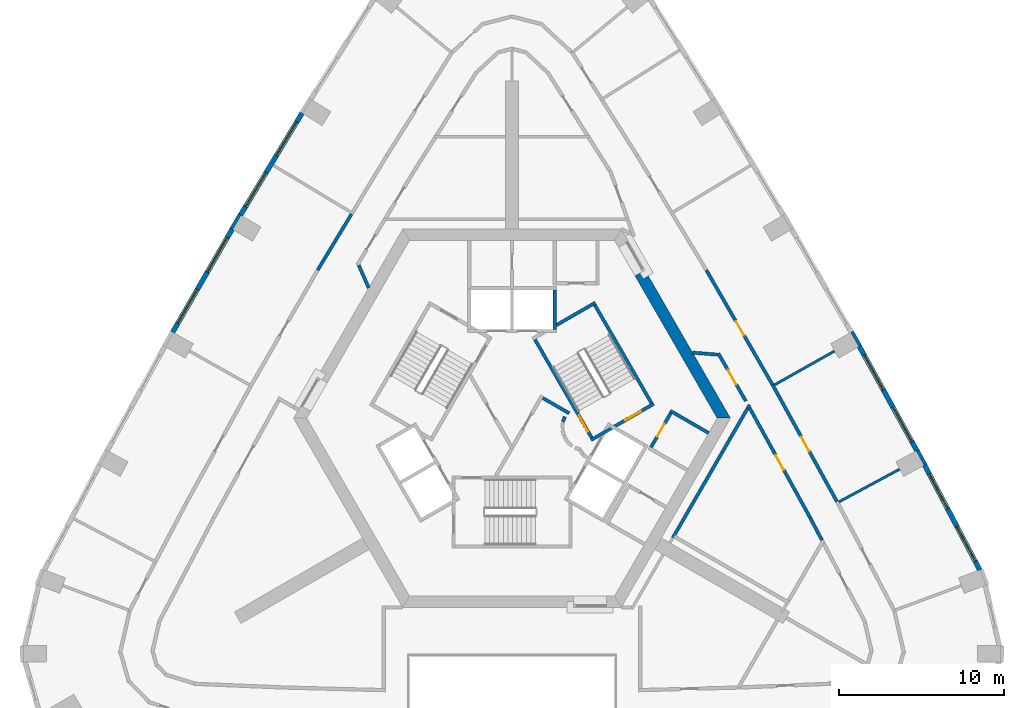
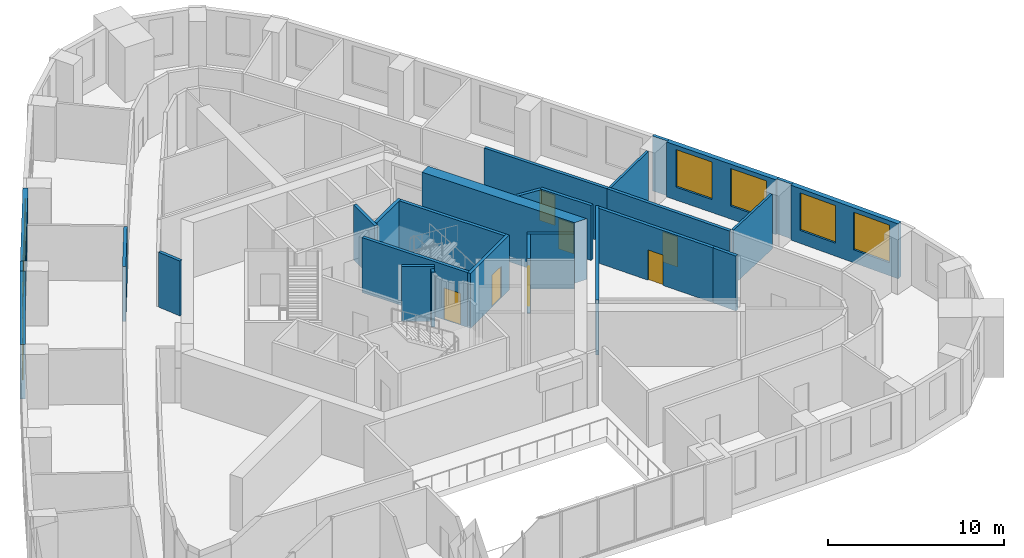
# One storey, part 7 of 11: 28 walls, 8 windows, 7 doors, 15 openings.
"""IFC4 building model written with IfcOpenShell, lengths in metres."""

from ifc_helpers import new_model, si_unit, direction, frame, frame_2d, origin, place, context, subcontext, project, spatial, polyline, rectangle, outline, extrude, material, layer, layer_set, type_object, element, fill, save


model = new_model("IFC4")

# Units and contexts
model_context = context("Model", 3, precision=1e-05, world=origin(), true_north=direction((0.0, 1.0)))
body_context = subcontext(model_context, "Body", "Model", "MODEL_VIEW")
ifc_project = project(units=[si_unit("LENGTHUNIT", "METRE"), si_unit("AREAUNIT", "SQUARE_METRE"), si_unit("VOLUMEUNIT", "CUBIC_METRE"), si_unit("PLANEANGLEUNIT", "RADIAN"), si_unit("MASSUNIT", "GRAM", prefix="KILO")], contexts=[model_context])

# Site, building, storey
site_placement = place(None, origin())
site = spatial("IfcSite", under=ifc_project, at=site_placement, CompositionType="ELEMENT")
building_placement = place(site_placement, origin())
building = spatial("IfcBuilding", under=site, at=building_placement, Name="Entoto Arch Interchange Tower", CompositionType="ELEMENT")
storey_placement = place(building_placement, frame((0.0, 0.0, 194.0)))
storey = spatial("IfcBuildingStorey", under=building, at=storey_placement, Name="L43", CompositionType="ELEMENT", Elevation=194.0)

# Walls
ifc_material_1 = material(Name="Concrete C50/60", Category="concrete")
ifc_layer_1 = layer(ifc_material_1, 0.699951171875)
ifc_layer_set_1 = layer_set([ifc_layer_1], Name="Concrete C50/60")
wall_type_1 = type_object("IfcWallType", Name="Core wall 700 C50/60", PredefinedType="SHEAR", material=ifc_layer_set_1)
wall_1_placement = place(storey_placement, frame((0.0, 0.0, -0.39990234375)))
element("IfcWall", 1, at=wall_1_placement, inside=storey, type_object=wall_type_1, Name="Core wall NE L43", PredefinedType="SHEAR", context=body_context, shape_type="SweptSolid", body=[
    extrude(outline(polyline([(8.083984375, 11.498046875), (7.47802734375, 11.14794921875), (12.470947265625, 2.5), (13.279052734375, 2.5), (8.083984375, 11.498046875)])), origin(), (0.0, 0.0, 1.0), 4.199951171875),
])
ifc_material_2 = material(Name="Concrete C40/50", Category="concrete")
ifc_layer_2 = layer(ifc_material_2, 0.199951171875)
ifc_layer_set_2 = layer_set([ifc_layer_2], Name="Concrete C40/50")
wall_type_2 = type_object("IfcWallType", Name="LIFT SHAFT WALL 200", PredefinedType="STANDARD", material=ifc_layer_set_2)
wall_2_placement = place(storey_placement, frame((2.60009765625, 7.89990234375, 0.0), z_axis=(0.0, 0.0, 1.0), x_axis=(0.0, 1.0, 0.0)))
element("IfcWall", 2, at=wall_2_placement, inside=storey, type_object=wall_type_2, Name="Shaft wall N1 cross 1", PredefinedType="STANDARD", context=body_context, shape_type="SweptSolid", body=[
    extrude(rectangle(XDim=2.400146484375, YDim=0.199951171875, at=frame_2d((1.2001953125, 0.0))), origin(), (0.0, 0.0, 1.0), 3.800048828125),
])
ifc_material_3 = material(Name="Gypsum board partition on steel studs", Category="steel")
ifc_layer_3 = layer(ifc_material_3, 0.14990234375)
ifc_layer_set_3 = layer_set([ifc_layer_3], Name="Gypsum board partition on steel studs")
wall_type_3 = type_object("IfcWallType", Name="PARTITION 150", PredefinedType="PARTITIONING", material=ifc_layer_set_3)
wall_3_placement = place(storey_placement, frame((19.873046875, -2.58203125, 0.0), z_axis=(0.0, 0.0, 1.0), x_axis=(0.880480475723, 0.474082410421, 0.0)))
element("IfcWall", 3, at=wall_3_placement, inside=storey, type_object=wall_type_3, Name="wall:L43:p111", PredefinedType="PARTITIONING", context=body_context, shape_type="SweptSolid", body=[
    extrude(rectangle(XDim=4.1806640625, YDim=0.14990234375, at=frame_2d((2.09033203125, 0.0))), origin(), (0.0, 0.0, 1.0), 3.800048828125),
])
wall_4_placement = place(storey_placement, frame((15.9541015625, 4.52587890625, 0.0), z_axis=(0.0, 0.0, 1.0), x_axis=(0.870940016277, 0.491389344663, 0.0)))
element("IfcWall", 4, at=wall_4_placement, inside=storey, type_object=wall_type_3, Name="wall:L43:p112", PredefinedType="PARTITIONING", context=body_context, shape_type="SweptSolid", body=[
    extrude(rectangle(XDim=4.180419921875, YDim=0.14990234375, at=frame_2d((2.09033203125, 0.0))), origin(), (0.0, 0.0, 1.0), 3.800048828125),
])
ifc_layer_4 = layer(ifc_material_3, 0.199951171875)
ifc_layer_set_4 = layer_set([ifc_layer_4], Name="Gypsum board partition on steel studs")
wall_type_4 = type_object("IfcWallType", Name="PARTITION 200", PredefinedType="PARTITIONING", material=ifc_layer_set_4)
wall_5_placement = place(storey_placement, frame((-9.31494140625, 11.801025390625, 0.0), z_axis=(0.0, 0.0, 1.0), x_axis=(0.403943240321, -0.914784050254, 0.0)))
element("IfcWall", 5, at=wall_5_placement, inside=storey, type_object=wall_type_4, Name="wall:L43:p004", PredefinedType="PARTITIONING", context=body_context, shape_type="SweptSolid", body=[
    extrude(rectangle(XDim=1.50732421875, YDim=0.199951171875, at=frame_2d((0.753662109375, 0.0))), origin(), (0.0, 0.0, 1.0), 3.800048828125),
])

# Wall, opening, door
wall_6_placement = place(storey_placement, frame((14.212890625, 3.54296875, 0.0), z_axis=(0.0, 0.0, 1.0), x_axis=(-0.500182898346, 0.865919781621, 0.0)))
wall_6 = element("IfcWall", 6, at=wall_6_placement, inside=storey, type_object=wall_type_4, Name="wall:L43:p005", PredefinedType="PARTITIONING", context=body_context, shape_type="SweptSolid", body=[
    extrude(rectangle(XDim=3.350341796875, YDim=0.199951171875, at=frame_2d((1.67529296875, 0.0))), origin(), (0.0, 0.0, 1.0), 3.800048828125),
])
opening_1_placement = place(wall_6_placement, frame((1.175048828125, 0.0, 0.0)))
opening_1 = element("IfcOpeningElement", 7, at=opening_1_placement, cuts=wall_6, Name="Opening L43-D27", PredefinedType="OPENING", context=body_context, shape_type="SweptSolid", body=[
    extrude(rectangle(XDim=1.0, YDim=2.10009765625, at=frame_2d((0.5, 1.050048828125))), frame((0.0, 0.10986328125, 0.0), z_axis=(0.0, -1.0, 0.0), x_axis=(1.0, 0.0, 0.0)), (0.0, 0.0, 1.0), 0.219970703125),
])
ifc_material_4 = material(Name="Timber door leaf in Steel S235 frame", Category="steel")
door_type_1 = type_object("IfcDoorType", Name="DOOR DS-10 1000x2100", OperationType="SINGLE_SWING_LEFT", PredefinedType="DOOR", material=ifc_material_4)
door_1_placement = place(opening_1_placement, origin())
door_1 = element("IfcDoor", 8, at=door_1_placement, inside=storey, type_object=door_type_1, Name="door:L43:27", OperationType="SINGLE_SWING_LEFT", OverallHeight=2.10009765625, OverallWidth=1.0, PredefinedType="DOOR", context=body_context, shape_type="SweptSolid", body=[
    extrude(rectangle(XDim=1.0, YDim=2.10009765625, at=frame_2d((0.5, 1.050048828125))), frame((0.0, 0.02490234375, 0.0), z_axis=(0.0, -1.0, 0.0), x_axis=(1.0, 0.0, 0.0)), (0.0, 0.0, 1.0), 0.050048828125),
])
fill(opening_1, door_1)

# Walls
wall_7_placement = place(storey_placement, frame((12.488037109375, 6.365966796875, 0.0), z_axis=(0.0, 0.0, 1.0), x_axis=(-0.996960771308, 0.077905201835, 0.0)))
element("IfcWall", 9, at=wall_7_placement, inside=storey, type_object=wall_type_4, Name="wall:L43:p006", PredefinedType="PARTITIONING", context=body_context, shape_type="SweptSolid", body=[
    extrude(rectangle(XDim=1.513671875, YDim=0.199951171875, at=frame_2d((0.7568359375, 0.0))), origin(), (0.0, 0.0, 1.0), 3.800048828125),
])
wall_8_placement = place(storey_placement, frame((18.8359375, -4.906005859375, 0.0), z_axis=(0.0, 0.0, 1.0), x_axis=(-0.465843561357, 0.884867095299, 0.0)))
element("IfcWall", 10, at=wall_8_placement, inside=storey, type_object=wall_type_4, Name="wall:L43:p018", PredefinedType="PARTITIONING", context=body_context, shape_type="SweptSolid", body=[
    extrude(rectangle(XDim=1.553955078125, YDim=0.199951171875, at=frame_2d((0.77685546875, 0.0))), origin(), (0.0, 0.0, 1.0), 3.800048828125),
])

# Wall, opening, door
wall_9_placement = place(storey_placement, frame((18.112060546875, -3.531005859375, 0.0), z_axis=(0.0, 0.0, 1.0), x_axis=(-0.482800061144, 0.875730609811, 0.0)))
wall_9 = element("IfcWall", 11, at=wall_9_placement, inside=storey, type_object=wall_type_4, Name="wall:L43:p019", PredefinedType="PARTITIONING", context=body_context, shape_type="SweptSolid", body=[
    extrude(rectangle(XDim=7.612060546875, YDim=0.199951171875, at=frame_2d((3.80615234375, 0.0))), origin(), (0.0, 0.0, 1.0), 3.800048828125),
])
opening_2_placement = place(wall_9_placement, frame((3.305908203125, 0.0, 0.0)))
opening_2 = element("IfcOpeningElement", 12, at=opening_2_placement, cuts=wall_9, Name="Opening L43-D18", PredefinedType="OPENING", context=body_context, shape_type="SweptSolid", body=[
    extrude(rectangle(XDim=1.0, YDim=2.10009765625, at=frame_2d((0.5, 1.050048828125))), frame((0.0, 0.10986328125, 0.0), z_axis=(0.0, -1.0, 0.0), x_axis=(1.0, 0.0, 0.0)), (0.0, 0.0, 1.0), 0.219970703125),
])
door_2_placement = place(opening_2_placement, origin())
door_2 = element("IfcDoor", 13, at=door_2_placement, inside=storey, type_object=door_type_1, Name="door:L43:18", OperationType="SINGLE_SWING_LEFT", OverallHeight=2.10009765625, OverallWidth=1.0, PredefinedType="DOOR", context=body_context, shape_type="SweptSolid", body=[
    extrude(rectangle(XDim=1.0, YDim=2.10009765625, at=frame_2d((0.5, 1.050048828125))), frame((0.0, 0.02490234375, 0.0), z_axis=(0.0, -1.0, 0.0), x_axis=(1.0, 0.0, 0.0)), (0.0, 0.0, 1.0), 0.050048828125),
])
fill(opening_2, door_2)

wall_10_placement = place(storey_placement, frame((15.8310546875, 4.5419921875, 0.0), z_axis=(0.0, 0.0, 1.0), x_axis=(0.482835531749, -0.875711053533, 0.0)))
wall_10 = element("IfcWall", 14, at=wall_10_placement, inside=storey, type_object=wall_type_4, Name="wall:L43:p042", PredefinedType="PARTITIONING", context=body_context, shape_type="SweptSolid", body=[
    extrude(rectangle(XDim=8.114501953125, YDim=0.199951171875, at=frame_2d((4.05712890625, 0.0))), origin(), (0.0, 0.0, 1.0), 3.800048828125),
])
opening_3_placement = place(wall_10_placement, frame((3.632080078125, 0.0, 0.0)))
opening_3 = element("IfcOpeningElement", 15, at=opening_3_placement, cuts=wall_10, Name="Opening L43-D05", PredefinedType="OPENING", context=body_context, shape_type="SweptSolid", body=[
    extrude(rectangle(XDim=1.0, YDim=2.10009765625, at=frame_2d((0.5, 1.050048828125))), frame((0.0, 0.10986328125, 0.0), z_axis=(0.0, -1.0, 0.0), x_axis=(1.0, 0.0, 0.0)), (0.0, 0.0, 1.0), 0.219970703125),
])
door_3_placement = place(opening_3_placement, origin())
door_3 = element("IfcDoor", 16, at=door_3_placement, inside=storey, type_object=door_type_1, Name="door:L43:05", OperationType="SINGLE_SWING_RIGHT", OverallHeight=2.10009765625, OverallWidth=1.0, PredefinedType="DOOR", context=body_context, shape_type="SweptSolid", body=[
    extrude(rectangle(XDim=1.0, YDim=2.10009765625, at=frame_2d((0.5, 1.050048828125))), frame((0.0, 0.02490234375, 0.0), z_axis=(0.0, -1.0, 0.0), x_axis=(1.0, 0.0, 0.0)), (0.0, 0.0, 1.0), 0.050048828125),
])
fill(opening_3, door_3)

wall_11_placement = place(storey_placement, frame((11.81103515625, 11.5029296875, 0.0), z_axis=(0.0, 0.0, 1.0), x_axis=(0.500013420409, -0.866017655369, 0.0)))
wall_11 = element("IfcWall", 17, at=wall_11_placement, inside=storey, type_object=wall_type_4, Name="wall:L43:p044", PredefinedType="PARTITIONING", context=body_context, shape_type="SweptSolid", body=[
    extrude(rectangle(XDim=8.037841796875, YDim=0.199951171875, at=frame_2d((4.01904296875, 0.0))), origin(), (0.0, 0.0, 1.0), 3.800048828125),
])
opening_4_placement = place(wall_11_placement, frame((3.593994140625, 0.0, 0.0)))
opening_4 = element("IfcOpeningElement", 18, at=opening_4_placement, cuts=wall_11, Name="Opening L43-D06", PredefinedType="OPENING", context=body_context, shape_type="SweptSolid", body=[
    extrude(rectangle(XDim=1.0, YDim=2.10009765625, at=frame_2d((0.5, 1.050048828125))), frame((0.0, 0.10986328125, 0.0), z_axis=(0.0, -1.0, 0.0), x_axis=(1.0, 0.0, 0.0)), (0.0, 0.0, 1.0), 0.219970703125),
])
door_4_placement = place(opening_4_placement, origin())
door_4 = element("IfcDoor", 19, at=door_4_placement, inside=storey, type_object=door_type_1, Name="door:L43:06", OperationType="SINGLE_SWING_LEFT", OverallHeight=2.10009765625, OverallWidth=1.0, PredefinedType="DOOR", context=body_context, shape_type="SweptSolid", body=[
    extrude(rectangle(XDim=1.0, YDim=2.10009765625, at=frame_2d((0.5, 1.050048828125))), frame((0.0, 0.02490234375, 0.0), z_axis=(0.0, -1.0, 0.0), x_axis=(1.0, 0.0, 0.0)), (0.0, 0.0, 1.0), 0.050048828125),
])
fill(opening_4, door_4)

# Wall
wall_12_placement = place(storey_placement, frame((-11.81103515625, 11.5029296875, 0.0), z_axis=(0.0, 0.0, 1.0), x_axis=(0.517135291957, 0.855903668535, 0.0)))
element("IfcWall", 20, at=wall_12_placement, inside=storey, type_object=wall_type_4, Name="wall:L43:p055", PredefinedType="PARTITIONING", context=body_context, shape_type="SweptSolid", body=[
    extrude(rectangle(XDim=3.981689453125, YDim=0.199951171875, at=frame_2d((1.99072265625, 0.0))), origin(), (0.0, 0.0, 1.0), 3.800048828125),
])

# Wall, opening, door
wall_13_placement = place(storey_placement, frame((8.450927734375, 0.738037109375, 0.0), z_axis=(0.0, 0.0, 1.0), x_axis=(0.499913221443, 0.866075499611, 0.0)))
wall_13 = element("IfcWall", 21, at=wall_13_placement, inside=storey, type_object=wall_type_4, Name="wall:L43:p075", PredefinedType="PARTITIONING", context=body_context, shape_type="SweptSolid", body=[
    extrude(rectangle(XDim=2.400390625, YDim=0.199951171875, at=frame_2d((1.2001953125, 0.0))), origin(), (0.0, 0.0, 1.0), 3.800048828125),
])
opening_5_placement = place(wall_13_placement, frame((0.75, 0.0, 0.0)))
opening_5 = element("IfcOpeningElement", 22, at=opening_5_placement, cuts=wall_13, Name="Opening L43-D33", PredefinedType="OPENING", context=body_context, shape_type="SweptSolid", body=[
    extrude(rectangle(XDim=0.89990234375, YDim=2.10009765625, at=frame_2d((0.449951171875, 1.050048828125))), frame((0.0, 0.10986328125, 0.0), z_axis=(0.0, -1.0, 0.0), x_axis=(1.0, 0.0, 0.0)), (0.0, 0.0, 1.0), 0.219970703125),
])
door_type_2 = type_object("IfcDoorType", Name="DOOR DS-09 900x2100", OperationType="SINGLE_SWING_LEFT", PredefinedType="DOOR", material=ifc_material_4)
door_5_placement = place(opening_5_placement, origin())
door_5 = element("IfcDoor", 23, at=door_5_placement, inside=storey, type_object=door_type_2, Name="door:L43:33", OperationType="SINGLE_SWING_LEFT", OverallHeight=2.10009765625, OverallWidth=0.89990234375, PredefinedType="DOOR", context=body_context, shape_type="SweptSolid", body=[
    extrude(rectangle(XDim=0.89990234375, YDim=2.10009765625, at=frame_2d((0.449951171875, 1.050048828125))), frame((0.0, 0.02490234375, 0.0), z_axis=(0.0, -1.0, 0.0), x_axis=(1.0, 0.0, 0.0)), (0.0, 0.0, 1.0), 0.050048828125),
])
fill(opening_5, door_5)

# Walls
wall_14_placement = place(storey_placement, frame((9.614990234375, 2.952880859375, 0.0), z_axis=(0.0, 0.0, 1.0), x_axis=(0.866013897511, -0.50001992892, 0.0)))
element("IfcWall", 24, at=wall_14_placement, inside=storey, type_object=wall_type_4, Name="wall:L43:p076", PredefinedType="PARTITIONING", context=body_context, shape_type="SweptSolid", body=[
    extrude(rectangle(XDim=2.69970703125, YDim=0.199951171875, at=frame_2d((1.349853515625, 0.0))), origin(), (0.0, 0.0, 1.0), 3.800048828125),
])
wall_15_placement = place(storey_placement, frame((9.781005859375, -4.758056640625, 0.0), z_axis=(0.0, 0.0, 1.0), x_axis=(0.50003174578, 0.866007074574, 0.0)))
element("IfcWall", 25, at=wall_15_placement, inside=storey, type_object=wall_type_4, Name="wall:L43:p081", PredefinedType="PARTITIONING", context=body_context, shape_type="SweptSolid", body=[
    extrude(rectangle(XDim=9.3154296875, YDim=0.199951171875, at=frame_2d((4.65771484375, 0.0))), origin(), (0.0, 0.0, 1.0), 3.800048828125),
])
wall_16_placement = place(storey_placement, frame((1.865966796875, 3.73193359375, 0.0), z_axis=(0.0, 0.0, 1.0), x_axis=(0.866043361281, -0.499968895414, 0.0)))
element("IfcWall", 26, at=wall_16_placement, inside=storey, type_object=wall_type_4, Name="wall:L43:p084", PredefinedType="PARTITIONING", context=body_context, shape_type="SweptSolid", body=[
    extrude(rectangle(XDim=1.85791015625, YDim=0.199951171875, at=frame_2d((0.928955078125, 0.0))), origin(), (0.0, 0.0, 1.0), 3.800048828125),
])
wall_17_placement = place(storey_placement, frame((3.2080078125, 2.592041015625, 0.0), z_axis=(0.0, 0.0, 1.0), x_axis=(-0.337388820924, -0.941365382578, 0.0)))
element("IfcWall", 27, at=wall_17_placement, inside=storey, type_object=wall_type_4, Name="wall:L43:p085", PredefinedType="PARTITIONING", context=body_context, shape_type="SweptSolid", body=[
    extrude(rectangle(XDim=0.337890625, YDim=0.199951171875, at=frame_2d((0.1689453125, 0.0))), origin(), (0.0, 0.0, 1.0), 3.800048828125),
])

# Wall, opening, door
ifc_layer_5 = layer(ifc_material_2, 0.199951171875)
ifc_layer_set_5 = layer_set([ifc_layer_5], Name="Concrete C40/50")
wall_type_5 = type_object("IfcWallType", Name="STAIR ENCLOSURE WALL 200", PredefinedType="STANDARD", material=ifc_layer_set_5)
wall_18_placement = place(storey_placement, frame((4.805908203125, 1.176025390625, 0.0), z_axis=(0.0, 0.0, 1.0), x_axis=(0.866059941101, 0.499940174841, 0.0)))
wall_18 = element("IfcWall", 28, at=wall_18_placement, inside=storey, type_object=wall_type_5, Name="Stair wall ST-NE near", PredefinedType="STANDARD", context=body_context, shape_type="SweptSolid", body=[
    extrude(rectangle(XDim=4.400390625, YDim=0.199951171875, at=frame_2d((2.2001953125, 0.0))), origin(), (0.0, 0.0, 1.0), 3.800048828125),
])
opening_6_placement = place(wall_18_placement, frame((2.39990234375, 0.0, 0.0)))
opening_6 = element("IfcOpeningElement", 29, at=opening_6_placement, cuts=wall_18, Name="Opening SD-ST-NE-L43-E", PredefinedType="OPENING", context=body_context, shape_type="SweptSolid", body=[
    extrude(rectangle(XDim=1.10009765625, YDim=2.199951171875, at=frame_2d((0.550048828125, 1.10009765625))), frame((0.0, 0.10986328125, 0.0), z_axis=(0.0, -1.0, 0.0), x_axis=(1.0, 0.0, 0.0)), (0.0, 0.0, 1.0), 0.219970703125),
])
ifc_material_5 = material(Name="Steel S235", Category="steel")
door_type_3 = type_object("IfcDoorType", Name="STAIR DOOR SD1 1100x2200", OperationType="SINGLE_SWING_LEFT", PredefinedType="DOOR", material=ifc_material_5)
door_6_placement = place(opening_6_placement, origin())
door_6 = element("IfcDoor", 30, at=door_6_placement, inside=storey, type_object=door_type_3, Name="Stair door ST-NE L43 end", OperationType="SINGLE_SWING_LEFT", OverallHeight=2.199951171875, OverallWidth=1.10009765625, PredefinedType="DOOR", context=body_context, shape_type="SweptSolid", body=[
    extrude(rectangle(XDim=1.10009765625, YDim=2.199951171875, at=frame_2d((0.550048828125, 1.10009765625))), frame((0.0, 0.02490234375, 0.0), z_axis=(0.0, -1.0, 0.0), x_axis=(1.0, 0.0, 0.0)), (0.0, 0.0, 1.0), 0.050048828125),
])
fill(opening_6, door_6)

# Wall
wall_19_placement = place(storey_placement, frame((2.699951171875, 8.157958984375, 0.0), z_axis=(0.0, 0.0, 1.0), x_axis=(0.86611865017, 0.499838457731, 0.0)))
element("IfcWall", 31, at=wall_19_placement, inside=storey, type_object=wall_type_5, Name="Stair wall ST-NE far", PredefinedType="STANDARD", context=body_context, shape_type="SweptSolid", body=[
    extrude(rectangle(XDim=2.73291015625, YDim=0.199951171875, at=frame_2d((1.366455078125, 0.0))), origin(), (0.0, 0.0, 1.0), 3.800048828125),
])

# Wall, opening, door
wall_20_placement = place(storey_placement, frame((4.843017578125, 1.31201171875, 0.0), z_axis=(0.0, 0.0, 1.0), x_axis=(-0.499963383562, 0.866046543262, 0.0)))
wall_20 = element("IfcWall", 32, at=wall_20_placement, inside=storey, type_object=wall_type_5, Name="Stair wall ST-NE hall", PredefinedType="STANDARD", context=body_context, shape_type="SweptSolid", body=[
    extrude(rectangle(XDim=6.900390625, YDim=0.199951171875, at=frame_2d((3.4501953125, 0.0))), origin(), (0.0, 0.0, 1.0), 3.800048828125),
])
opening_7_placement = place(wall_20_placement, frame((0.449951171875, 0.0, 0.0)))
opening_7 = element("IfcOpeningElement", 33, at=opening_7_placement, cuts=wall_20, Name="Opening SD-ST-NE-L43", PredefinedType="OPENING", context=body_context, shape_type="SweptSolid", body=[
    extrude(rectangle(XDim=1.10009765625, YDim=2.199951171875, at=frame_2d((0.550048828125, 1.10009765625))), frame((0.0, 0.10986328125, 0.0), z_axis=(0.0, -1.0, 0.0), x_axis=(1.0, 0.0, 0.0)), (0.0, 0.0, 1.0), 0.219970703125),
])
door_7_placement = place(opening_7_placement, origin())
door_7 = element("IfcDoor", 34, at=door_7_placement, inside=storey, type_object=door_type_3, Name="Stair door ST-NE L43", OperationType="SINGLE_SWING_LEFT", OverallHeight=2.199951171875, OverallWidth=1.10009765625, PredefinedType="DOOR", context=body_context, shape_type="SweptSolid", body=[
    extrude(rectangle(XDim=1.10009765625, YDim=2.199951171875, at=frame_2d((0.550048828125, 1.10009765625))), frame((0.0, 0.02490234375, 0.0), z_axis=(0.0, -1.0, 0.0), x_axis=(1.0, 0.0, 0.0)), (0.0, 0.0, 1.0), 0.050048828125),
])
fill(opening_7, door_7)

# Wall
wall_21_placement = place(storey_placement, frame((8.47998046875, 3.412109375, 0.0), z_axis=(0.0, 0.0, 1.0), x_axis=(-0.499978703459, 0.866037698999, 0.0)))
element("IfcWall", 35, at=wall_21_placement, inside=storey, type_object=wall_type_5, Name="Stair wall ST-NE back", PredefinedType="STANDARD", context=body_context, shape_type="SweptSolid", body=[
    extrude(rectangle(XDim=6.900146484375, YDim=0.199951171875, at=frame_2d((3.4501953125, 0.0))), origin(), (0.0, 0.0, 1.0), 3.800048828125),
])

# Wall, openings, windows
ifc_material_6 = material(Name="Welded tuff (ignimbrite) cladding, warm buff", Category="masonry")
ifc_layer_6 = layer(ifc_material_6, 0.300048828125)
ifc_layer_set_6 = layer_set([ifc_layer_6], Name="Welded tuff (ignimbrite) cladding, warm buff")
wall_type_6 = type_object("IfcWallType", Name="STONE INFILL WALL 300", PredefinedType="STANDARD", material=ifc_layer_set_6)
wall_22_placement = place(storey_placement, frame((28.43505859375, -6.72412109375, 0.0), z_axis=(0.0, 0.0, 1.0), x_axis=(-0.465478369088, 0.885059256723, 0.0)))
wall_22 = element("IfcWall", 36, at=wall_22_placement, inside=storey, type_object=wall_type_6, Name="Facade wall NE-01 L43", PredefinedType="STANDARD", context=body_context, shape_type="SweptSolid", body=[
    extrude(rectangle(XDim=7.20751953125, YDim=0.300048828125, at=frame_2d((3.603759765625, 0.0))), origin(), (0.0, 0.0, 1.0), 3.800048828125),
])
opening_8_placement = place(wall_22_placement, frame((0.60205078125, 0.0, 0.89990234375)))
opening_8 = element("IfcOpeningElement", 37, at=opening_8_placement, cuts=wall_22, Name="Opening WO-A", PredefinedType="OPENING", context=body_context, shape_type="SweptSolid", body=[
    extrude(rectangle(XDim=2.39990234375, YDim=2.60009765625, at=frame_2d((1.199951171875, 1.300048828125))), frame((0.0, 0.16015625, 0.0), z_axis=(0.0, -1.0, 0.0), x_axis=(1.0, 0.0, 0.0)), (0.0, 0.0, 1.0), 0.320068359375),
])
opening_9_placement = place(wall_22_placement, frame((4.2060546875, 0.0, 0.89990234375)))
opening_9 = element("IfcOpeningElement", 38, at=opening_9_placement, cuts=wall_22, Name="Opening WO-A", PredefinedType="OPENING", context=body_context, shape_type="SweptSolid", body=[
    extrude(rectangle(XDim=2.39990234375, YDim=2.60009765625, at=frame_2d((1.199951171875, 1.300048828125))), frame((0.0, 0.16015625, 0.0), z_axis=(0.0, -1.0, 0.0), x_axis=(1.0, 0.0, 0.0)), (0.0, 0.0, 1.0), 0.320068359375),
])
ifc_material_7 = material(Name="Clear glass, low-e double glazed", Category="glass")
window_type = type_object("IfcWindowType", Name="WINDOW WO-A 2400x2600", PartitioningType="DOUBLE_PANEL_VERTICAL", PredefinedType="WINDOW", material=ifc_material_7)
window_1_placement = place(opening_8_placement, origin())
window_1 = element("IfcWindow", 39, at=window_1_placement, inside=storey, type_object=window_type, Name="Window WO-A NE-01 L43", OverallHeight=2.60009765625, OverallWidth=2.39990234375, PartitioningType="SINGLE_PANEL", PredefinedType="WINDOW", context=body_context, shape_type="SweptSolid", body=[
    extrude(rectangle(XDim=2.39990234375, YDim=2.60009765625, at=frame_2d((1.199951171875, 1.300048828125))), frame((0.0, 0.030029296875, 0.0), z_axis=(0.0, -1.0, 0.0), x_axis=(1.0, 0.0, 0.0)), (0.0, 0.0, 1.0), 0.06005859375),
])
fill(opening_8, window_1)
window_2_placement = place(opening_9_placement, origin())
window_2 = element("IfcWindow", 40, at=window_2_placement, inside=storey, type_object=window_type, Name="Window WO-A NE-01 L43", OverallHeight=2.60009765625, OverallWidth=2.39990234375, PartitioningType="SINGLE_PANEL", PredefinedType="WINDOW", context=body_context, shape_type="SweptSolid", body=[
    extrude(rectangle(XDim=2.39990234375, YDim=2.60009765625, at=frame_2d((1.199951171875, 1.300048828125))), frame((0.0, 0.030029296875, 0.0), z_axis=(0.0, -1.0, 0.0), x_axis=(1.0, 0.0, 0.0)), (0.0, 0.0, 1.0), 0.06005859375),
])
fill(opening_9, window_2)

wall_23_placement = place(storey_placement, frame((24.60693359375, 0.533935546875, 0.0), z_axis=(0.0, 0.0, 1.0), x_axis=(-0.482862185961, 0.875696356832, 0.0)))
wall_23 = element("IfcWall", 41, at=wall_23_placement, inside=storey, type_object=wall_type_6, Name="Facade wall NE-02 L43", PredefinedType="STANDARD", context=body_context, shape_type="SweptSolid", body=[
    extrude(rectangle(XDim=7.229736328125, YDim=0.300048828125, at=frame_2d((3.61474609375, 0.0))), origin(), (0.0, 0.0, 1.0), 3.800048828125),
])
opening_10_placement = place(wall_23_placement, frame((0.60693359375, 0.0, 0.89990234375)))
opening_10 = element("IfcOpeningElement", 42, at=opening_10_placement, cuts=wall_23, Name="Opening WO-A", PredefinedType="OPENING", context=body_context, shape_type="SweptSolid", body=[
    extrude(rectangle(XDim=2.39990234375, YDim=2.60009765625, at=frame_2d((1.199951171875, 1.300048828125))), frame((0.0, 0.16015625, 0.0), z_axis=(0.0, -1.0, 0.0), x_axis=(1.0, 0.0, 0.0)), (0.0, 0.0, 1.0), 0.320068359375),
])
opening_11_placement = place(wall_23_placement, frame((4.221923828125, 0.0, 0.89990234375)))
opening_11 = element("IfcOpeningElement", 43, at=opening_11_placement, cuts=wall_23, Name="Opening WO-A", PredefinedType="OPENING", context=body_context, shape_type="SweptSolid", body=[
    extrude(rectangle(XDim=2.39990234375, YDim=2.60009765625, at=frame_2d((1.199951171875, 1.300048828125))), frame((0.0, 0.16015625, 0.0), z_axis=(0.0, -1.0, 0.0), x_axis=(1.0, 0.0, 0.0)), (0.0, 0.0, 1.0), 0.320068359375),
])
window_3_placement = place(opening_10_placement, origin())
window_3 = element("IfcWindow", 44, at=window_3_placement, inside=storey, type_object=window_type, Name="Window WO-A NE-02 L43", OverallHeight=2.60009765625, OverallWidth=2.39990234375, PartitioningType="SINGLE_PANEL", PredefinedType="WINDOW", context=body_context, shape_type="SweptSolid", body=[
    extrude(rectangle(XDim=2.39990234375, YDim=2.60009765625, at=frame_2d((1.199951171875, 1.300048828125))), frame((0.0, 0.030029296875, 0.0), z_axis=(0.0, -1.0, 0.0), x_axis=(1.0, 0.0, 0.0)), (0.0, 0.0, 1.0), 0.06005859375),
])
fill(opening_10, window_3)
window_4_placement = place(opening_11_placement, origin())
window_4 = element("IfcWindow", 45, at=window_4_placement, inside=storey, type_object=window_type, Name="Window WO-A NE-02 L43", OverallHeight=2.60009765625, OverallWidth=2.39990234375, PartitioningType="SINGLE_PANEL", PredefinedType="WINDOW", context=body_context, shape_type="SweptSolid", body=[
    extrude(rectangle(XDim=2.39990234375, YDim=2.60009765625, at=frame_2d((1.199951171875, 1.300048828125))), frame((0.0, 0.030029296875, 0.0), z_axis=(0.0, -1.0, 0.0), x_axis=(1.0, 0.0, 0.0)), (0.0, 0.0, 1.0), 0.06005859375),
])
fill(opening_11, window_4)

wall_24_placement = place(storey_placement, frame((-12.764892578125, 21.04296875, 0.0), z_axis=(0.0, 0.0, 1.0), x_axis=(-0.517159962006, -0.855888762456, 0.0)))
wall_24 = element("IfcWall", 46, at=wall_24_placement, inside=storey, type_object=wall_type_6, Name="Facade wall NW-02 L43", PredefinedType="STANDARD", context=body_context, shape_type="SweptSolid", body=[
    extrude(rectangle(XDim=7.22998046875, YDim=0.300048828125, at=frame_2d((3.614990234375, 0.0))), origin(), (0.0, 0.0, 1.0), 3.800048828125),
])
opening_12_placement = place(wall_24_placement, frame((0.60693359375, 0.0, 0.89990234375)))
opening_12 = element("IfcOpeningElement", 47, at=opening_12_placement, cuts=wall_24, Name="Opening WO-A", PredefinedType="OPENING", context=body_context, shape_type="SweptSolid", body=[
    extrude(rectangle(XDim=2.39990234375, YDim=2.60009765625, at=frame_2d((1.199951171875, 1.300048828125))), frame((0.0, 0.16015625, 0.0), z_axis=(0.0, -1.0, 0.0), x_axis=(1.0, 0.0, 0.0)), (0.0, 0.0, 1.0), 0.320068359375),
])
opening_13_placement = place(wall_24_placement, frame((4.221923828125, 0.0, 0.89990234375)))
opening_13 = element("IfcOpeningElement", 48, at=opening_13_placement, cuts=wall_24, Name="Opening WO-A", PredefinedType="OPENING", context=body_context, shape_type="SweptSolid", body=[
    extrude(rectangle(XDim=2.39990234375, YDim=2.60009765625, at=frame_2d((1.199951171875, 1.300048828125))), frame((0.0, 0.16015625, 0.0), z_axis=(0.0, -1.0, 0.0), x_axis=(1.0, 0.0, 0.0)), (0.0, 0.0, 1.0), 0.320068359375),
])
window_5_placement = place(opening_12_placement, origin())
window_5 = element("IfcWindow", 49, at=window_5_placement, inside=storey, type_object=window_type, Name="Window WO-A NW-02 L43", OverallHeight=2.60009765625, OverallWidth=2.39990234375, PartitioningType="SINGLE_PANEL", PredefinedType="WINDOW", context=body_context, shape_type="SweptSolid", body=[
    extrude(rectangle(XDim=2.39990234375, YDim=2.60009765625, at=frame_2d((1.199951171875, 1.300048828125))), frame((0.0, 0.030029296875, 0.0), z_axis=(0.0, -1.0, 0.0), x_axis=(1.0, 0.0, 0.0)), (0.0, 0.0, 1.0), 0.06005859375),
])
fill(opening_12, window_5)
window_6_placement = place(opening_13_placement, origin())
window_6 = element("IfcWindow", 50, at=window_6_placement, inside=storey, type_object=window_type, Name="Window WO-A NW-02 L43", OverallHeight=2.60009765625, OverallWidth=2.39990234375, PartitioningType="SINGLE_PANEL", PredefinedType="WINDOW", context=body_context, shape_type="SweptSolid", body=[
    extrude(rectangle(XDim=2.39990234375, YDim=2.60009765625, at=frame_2d((1.199951171875, 1.300048828125))), frame((0.0, 0.030029296875, 0.0), z_axis=(0.0, -1.0, 0.0), x_axis=(1.0, 0.0, 0.0)), (0.0, 0.0, 1.0), 0.06005859375),
])
fill(opening_13, window_6)

wall_25_placement = place(storey_placement, frame((-17.010986328125, 13.99609375, 0.0), z_axis=(0.0, 0.0, 1.0), x_axis=(-0.499948481376, -0.866055146033, 0.0)))
wall_25 = element("IfcWall", 51, at=wall_25_placement, inside=storey, type_object=wall_type_6, Name="Facade wall NW-03 L43", PredefinedType="STANDARD", context=body_context, shape_type="SweptSolid", body=[
    extrude(rectangle(XDim=7.230712890625, YDim=0.300048828125, at=frame_2d((3.615234375, 0.0))), origin(), (0.0, 0.0, 1.0), 3.800048828125),
])
opening_14_placement = place(wall_25_placement, frame((0.60791015625, 0.0, 0.89990234375)))
opening_14 = element("IfcOpeningElement", 52, at=opening_14_placement, cuts=wall_25, Name="Opening WO-A", PredefinedType="OPENING", context=body_context, shape_type="SweptSolid", body=[
    extrude(rectangle(XDim=2.39990234375, YDim=2.60009765625, at=frame_2d((1.199951171875, 1.300048828125))), frame((0.0, 0.16015625, 0.0), z_axis=(0.0, -1.0, 0.0), x_axis=(1.0, 0.0, 0.0)), (0.0, 0.0, 1.0), 0.320068359375),
])
opening_15_placement = place(wall_25_placement, frame((4.222900390625, 0.0, 0.89990234375)))
opening_15 = element("IfcOpeningElement", 53, at=opening_15_placement, cuts=wall_25, Name="Opening WO-A", PredefinedType="OPENING", context=body_context, shape_type="SweptSolid", body=[
    extrude(rectangle(XDim=2.39990234375, YDim=2.60009765625, at=frame_2d((1.199951171875, 1.300048828125))), frame((0.0, 0.16015625, 0.0), z_axis=(0.0, -1.0, 0.0), x_axis=(1.0, 0.0, 0.0)), (0.0, 0.0, 1.0), 0.320068359375),
])
window_7_placement = place(opening_14_placement, origin())
window_7 = element("IfcWindow", 54, at=window_7_placement, inside=storey, type_object=window_type, Name="Window WO-A NW-03 L43", OverallHeight=2.60009765625, OverallWidth=2.39990234375, PartitioningType="SINGLE_PANEL", PredefinedType="WINDOW", context=body_context, shape_type="SweptSolid", body=[
    extrude(rectangle(XDim=2.39990234375, YDim=2.60009765625, at=frame_2d((1.199951171875, 1.300048828125))), frame((0.0, 0.030029296875, 0.0), z_axis=(0.0, -1.0, 0.0), x_axis=(1.0, 0.0, 0.0)), (0.0, 0.0, 1.0), 0.06005859375),
])
fill(opening_14, window_7)
window_8_placement = place(opening_15_placement, origin())
window_8 = element("IfcWindow", 55, at=window_8_placement, inside=storey, type_object=window_type, Name="Window WO-A NW-03 L43", OverallHeight=2.60009765625, OverallWidth=2.39990234375, PartitioningType="SINGLE_PANEL", PredefinedType="WINDOW", context=body_context, shape_type="SweptSolid", body=[
    extrude(rectangle(XDim=2.39990234375, YDim=2.60009765625, at=frame_2d((1.199951171875, 1.300048828125))), frame((0.0, 0.030029296875, 0.0), z_axis=(0.0, -1.0, 0.0), x_axis=(1.0, 0.0, 0.0)), (0.0, 0.0, 1.0), 0.06005859375),
])
fill(opening_15, window_8)

# Walls
ifc_layer_7 = layer(ifc_material_6, 0.199951171875)
ifc_layer_set_7 = layer_set([ifc_layer_7], Name="Welded tuff (ignimbrite) cladding, warm buff")
wall_type_7 = type_object("IfcWallType", Name="STONE PIER CLADDING 200", PredefinedType="STANDARD", material=ifc_layer_set_7)
wall_26_placement = place(storey_placement, frame((25.12890625, -0.320068359375, 0.0), z_axis=(0.0, 0.0, 1.0), x_axis=(-0.473663196434, 0.88070606694, 0.0)))
element("IfcWall", 56, at=wall_26_placement, inside=storey, type_object=wall_type_7, Name="Stone pier NE02 L43", PredefinedType="STANDARD", context=body_context, shape_type="SweptSolid", body=[
    extrude(rectangle(XDim=1.00048828125, YDim=0.199951171875, at=frame_2d((0.500244140625, 0.0))), origin(), (0.0, 0.0, 1.0), 3.800048828125),
])
wall_27_placement = place(storey_placement, frame((21.1650390625, 6.89111328125, 0.0), z_axis=(0.0, 0.0, 1.0), x_axis=(-0.491848119507, 0.870681013539, 0.0)))
element("IfcWall", 57, at=wall_27_placement, inside=storey, type_object=wall_type_7, Name="Stone pier NE03 L43", PredefinedType="STANDARD", context=body_context, shape_type="SweptSolid", body=[
    extrude(rectangle(XDim=1.000244140625, YDim=0.199951171875, at=frame_2d((0.5, 0.0))), origin(), (0.0, 0.0, 1.0), 3.800048828125),
])
wall_28_placement = place(storey_placement, frame((-16.551025390625, 14.884033203125, 0.0), z_axis=(0.0, 0.0, 1.0), x_axis=(-0.508161541526, -0.861261776531, 0.0)))
element("IfcWall", 58, at=wall_28_placement, inside=storey, type_object=wall_type_7, Name="Stone pier NW03 L43", PredefinedType="STANDARD", context=body_context, shape_type="SweptSolid", body=[
    extrude(rectangle(XDim=0.999755859375, YDim=0.199951171875, at=frame_2d((0.5, 0.0))), origin(), (0.0, 0.0, 1.0), 3.800048828125),
])

save(model, "model.ifc")
